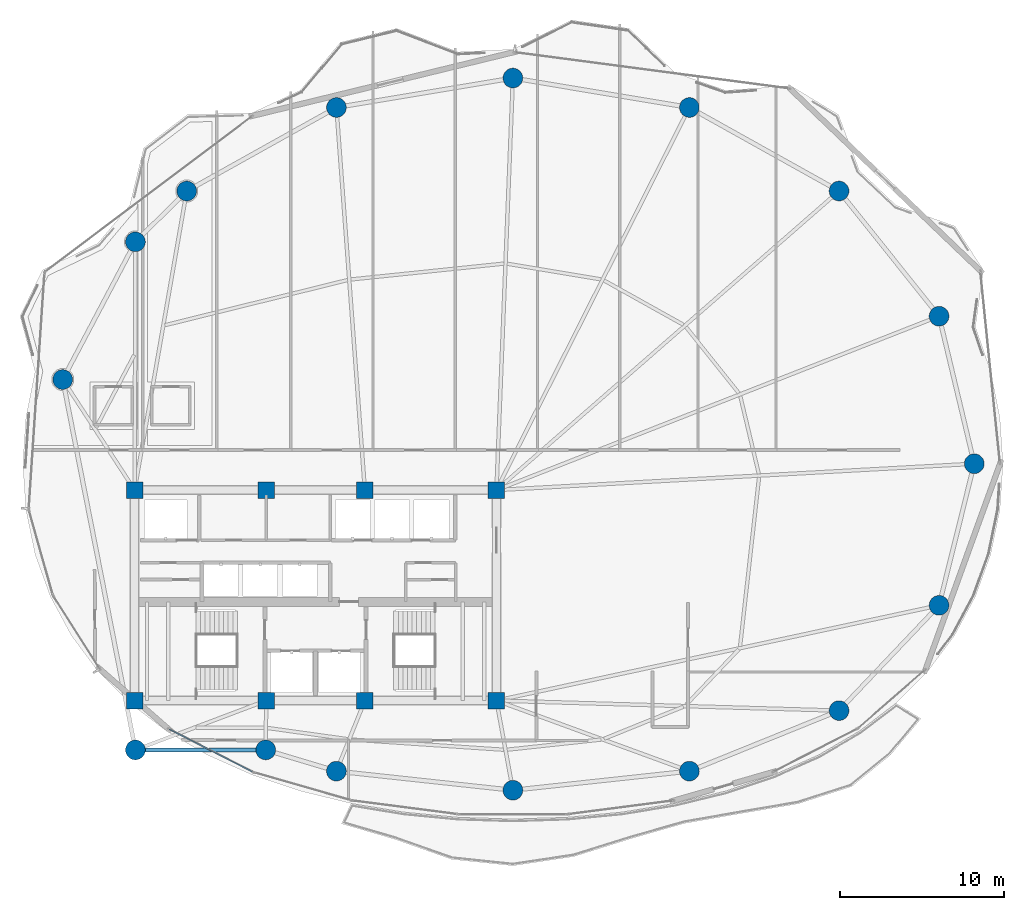
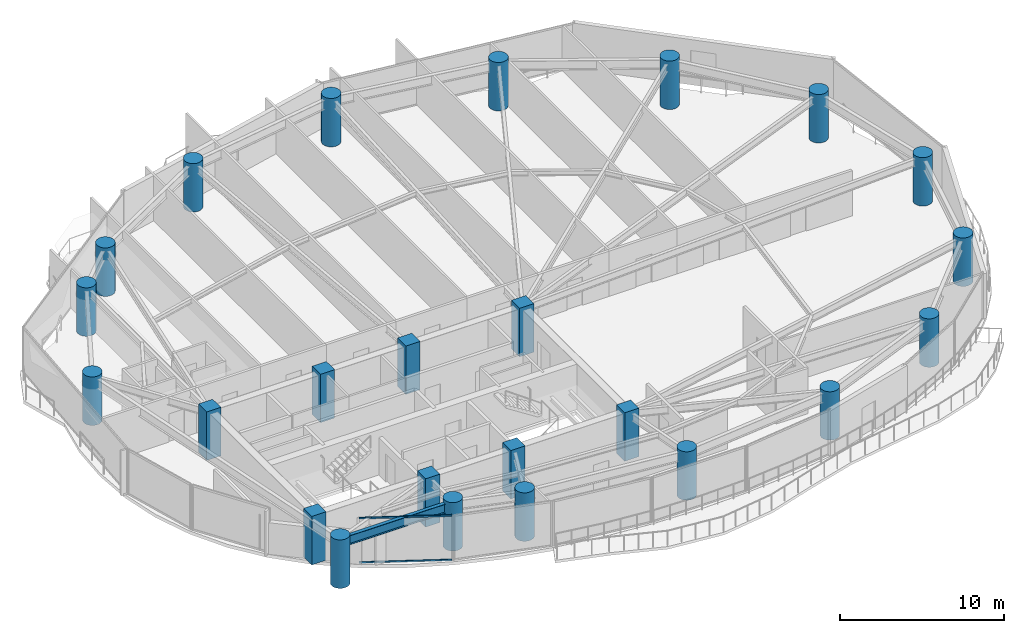
# One storey, part 1 of 30: 24 columns, 2 members, 1 beam, 1 element without a shape of its own.
"""IFC4 building model written with IfcOpenShell, lengths in metres."""

from ifc_helpers import new_model, si_unit, direction, frame, origin, origin_2d, place, context, subcontext, project, spatial, rectangle, hollow_rectangle, circle, i_section, extrude, material, layer, layer_set, material_profile, profile_set, type_object, element, aggregate, save


model = new_model("IFC4")

# Units and contexts
model_context = context("Model", 3, precision=1e-05, world=origin(), true_north=direction((0.0, 1.0)))
body_context = subcontext(model_context, "Body", "Model", "MODEL_VIEW")
ifc_project = project(units=[si_unit("LENGTHUNIT", "METRE"), si_unit("AREAUNIT", "SQUARE_METRE"), si_unit("VOLUMEUNIT", "CUBIC_METRE"), si_unit("PLANEANGLEUNIT", "RADIAN"), si_unit("MASSUNIT", "GRAM", prefix="KILO")], contexts=[model_context])

# Site, building, storey
site_placement = place(None, origin())
site = spatial("IfcSite", under=ifc_project, at=site_placement, CompositionType="ELEMENT")
building_placement = place(site_placement, origin())
building = spatial("IfcBuilding", under=site, at=building_placement, Name="Kazevale Care Tower and Concert Hall", CompositionType="ELEMENT")
storey_placement = place(building_placement, frame((0.0, 0.0, 131.39990234375)))
storey = spatial("IfcBuildingStorey", under=building, at=storey_placement, Name="L34", CompositionType="ELEMENT", Elevation=131.39990234375)

# Columns
ifc_material_1 = material(Name="Concrete C60", Category="concrete")
ifc_material_profile_1 = material_profile(ifc_material_1, rectangle(XDim=1.0, YDim=1.0, at=origin_2d()), Name="RC-SQ1000")
ifc_profile_set_1 = profile_set([ifc_material_profile_1], Name="Concrete C60")
column_type_1 = type_object("IfcColumnType", Name="Core Column SQ1000 C60", PredefinedType="COLUMN", material=ifc_profile_set_1)
for number, where, z_axis, x_axis, name in (
    (1, (22.0, 23.60009765625, 0.0), (0.0, 0.0, 1.0), (1.0, 0.0, 0.0), "col:L34:CC-01"),
    (2, (30.0, 23.60009765625, 0.0), (0.0, 0.0, 1.0), (1.0, 0.0, 0.0), "col:L34:CC-02"),
    (3, (36.0, 23.60009765625, 0.0), (0.0, 0.0, 1.0), (1.0, 0.0, 0.0), "col:L34:CC-03"),
    (4, (44.0, 23.60009765625, 0.0), (0.0, 0.0, 1.0), (1.0, 0.0, 0.0), "col:L34:CC-04"),
    (5, (44.0, 36.39990234375, 0.0), (0.0, 0.0, 1.0), (1.0, 0.0, 0.0), "col:L34:CC-05"),
    (6, (36.0, 36.39990234375, 0.0), (0.0, 0.0, 1.0), (1.0, 0.0, 0.0), "col:L34:CC-06"),
    (7, (30.0, 36.39990234375, 0.0), (0.0, 0.0, 1.0), (1.0, 0.0, 0.0), "col:L34:CC-07"),
    (8, (22.0, 36.39990234375, 0.0), (0.0, 0.0, 1.0), (1.0, 0.0, 0.0), "col:L34:CC-08"),
):
    element("IfcColumn", number, at=place(storey_placement, frame(where, z_axis=z_axis, x_axis=x_axis)), inside=storey, type_object=column_type_1, Name=name, PredefinedType="COLUMN", context=body_context, shape_type="SweptSolid", body=[
        extrude(rectangle(XDim=1.0, YDim=1.0, at=origin_2d()), origin(), (0.0, 0.0, 1.0), 3.60009765625),
    ])
ifc_material_profile_2 = material_profile(ifc_material_1, circle(Radius=0.60009765625, at=origin_2d()), Name="RC-CIR1200")
ifc_profile_set_2 = profile_set([ifc_material_profile_2], Name="Concrete C60")
column_type_2 = type_object("IfcColumnType", Name="Perimeter Column CIR1200 C60", PredefinedType="COLUMN", material=ifc_profile_set_2)
for number, where, z_axis, x_axis, name in (
    (9, (73.050048828125, 38.0, 0.0), (0.0, 0.0, 1.0), (1.0, 0.0, 0.0), "col:L34:PC-01"),
    (10, (70.909912109375, 46.969970703125, 0.0), (0.0, 0.0, 1.0), (1.0, 0.0, 0.0), "col:L34:PC-02"),
    (11, (64.830078125, 54.580078125, 0.0), (0.0, 0.0, 1.0), (1.0, 0.0, 0.0), "col:L34:PC-03"),
    (12, (55.72998046875, 59.659912109375, 0.0), (0.0, 0.0, 1.0), (1.0, 0.0, 0.0), "col:L34:PC-04"),
    (13, (45.0, 61.449951171875, 0.0), (0.0, 0.0, 1.0), (1.0, 0.0, 0.0), "col:L34:PC-05"),
    (14, (34.27001953125, 59.659912109375, 0.0), (0.0, 0.0, 1.0), (1.0, 0.0, 0.0), "col:L34:PC-06"),
    (15, (25.169921875, 54.580078125, 0.0), (0.0, 0.0, 1.0), (1.0, 0.0, 0.0), "col:L34:PC-07"),
    (16, (22.050048828125, 51.489990234375, 0.0), (0.0, 0.0, 1.0), (1.0, 0.0, 0.0), "col:L34:PC-08"),
    (17, (17.6298828125, 43.1201171875, 0.0), (0.0, 0.0, 1.0), (1.0, 0.0, 0.0), "col:L34:PC-09"),
    (18, (22.050048828125, 20.60009765625, 0.0), (0.0, 0.0, 1.0), (1.0, 0.0, 0.0), "col:L34:PC-10"),
    (19, (29.969970703125, 20.60009765625, 0.0), (0.0, 0.0, 1.0), (1.0, 0.0, 0.0), "col:L34:PC-11"),
    (20, (34.27001953125, 19.31005859375, 0.0), (0.0, 0.0, 1.0), (1.0, 0.0, 0.0), "col:L34:PC-12"),
    (21, (45.0, 18.14990234375, 0.0), (0.0, 0.0, 1.0), (1.0, 0.0, 0.0), "col:L34:PC-13"),
    (22, (55.72998046875, 19.31005859375, 0.0), (0.0, 0.0, 1.0), (1.0, 0.0, 0.0), "col:L34:PC-14"),
    (23, (64.830078125, 22.989990234375, 0.0), (0.0, 0.0, 1.0), (1.0, 0.0, 0.0), "col:L34:PC-15"),
    (24, (70.909912109375, 29.389892578125, 0.0), (0.0, 0.0, 1.0), (1.0, 0.0, 0.0), "col:L34:PC-16"),
):
    element("IfcColumn", number, at=place(storey_placement, frame(where, z_axis=z_axis, x_axis=x_axis)), inside=storey, type_object=column_type_2, Name=name, PredefinedType="COLUMN", context=body_context, shape_type="SweptSolid", body=[
        extrude(circle(Radius=0.60009765625, at=origin_2d()), origin(), (0.0, 0.0, 1.0), 3.60009765625),
    ])

# Curtain wall, members
ifc_material_2 = material(Name="Aluminium 6063-T6 and Low-E Glass", Category="aluminium")
ifc_layer = layer(ifc_material_2, 0.179931640625)
ifc_layer_set = layer_set([ifc_layer], Name="Aluminium 6063-T6 and Low-E Glass")
curtain_wall_type = type_object("IfcCurtainWallType", Name="Sheltered Concave Balcony Curtain Wall CW-5", PredefinedType="NOTDEFINED", material=ifc_layer_set)
curtain_wall_placement = place(storey_placement, origin())
curtain_wall = element("IfcCurtainWall", 25, at=curtain_wall_placement, inside=storey, type_object=curtain_wall_type, Name="cw:L34:f09", PredefinedType="NOTDEFINED")
ifc_material_3 = material(Name="Aluminium 6063-T6", Category="aluminium")
ifc_material_profile_3 = material_profile(ifc_material_3, hollow_rectangle(XDim=0.074951171875, YDim=0.1201171875, WallThickness=0.00390625, at=origin_2d()), Name="ALU75x120x4")
ifc_profile_set_3 = profile_set([ifc_material_profile_3], Name="Aluminium 6063-T6")
member_type = type_object("IfcMemberType", Name="CW-5 Transom ALU75x120x4", PredefinedType="USERDEFINED", material=ifc_profile_set_3)
member_1_placement = place(storey_placement, frame((29.144287109375, 19.279296875, 0.03759765625), z_axis=(-0.890142600475, 0.455682072084, 0.0), x_axis=(-0.455682072084, -0.890142600475, 0.0)))
member_1 = element("IfcMember", 26, at=member_1_placement, type_object=member_type, Name="CW-5 transom 1.1", ObjectType="TRANSOM", PredefinedType="USERDEFINED", context=body_context, shape_type="SweptSolid", body=[
    extrude(hollow_rectangle(XDim=0.074951171875, YDim=0.1201171875, WallThickness=0.00390625, at=origin_2d()), origin(), (0.0, 0.0, 1.0), 5.671630859375),
])
member_2_placement = place(storey_placement, frame((29.144287109375, 19.279296875, 3.322509765625), z_axis=(-0.890142600475, 0.455682072084, 0.0), x_axis=(-0.455682072084, -0.890142600475, 0.0)))
member_2 = element("IfcMember", 27, at=member_2_placement, type_object=member_type, Name="CW-5 transom 1.2", ObjectType="TRANSOM", PredefinedType="USERDEFINED", context=body_context, shape_type="SweptSolid", body=[
    extrude(hollow_rectangle(XDim=0.074951171875, YDim=0.1201171875, WallThickness=0.00390625, at=origin_2d()), origin(), (0.0, 0.0, 1.0), 5.671630859375),
])
aggregate(curtain_wall, [member_1, member_2])

# Beam
ifc_material_4 = material(Name="Steel ASTM A572 Gr 50", Category="steel")
ifc_material_profile_4 = material_profile(ifc_material_4, i_section(OverallWidth=0.256103515625, OverallDepth=0.693115234375, WebThickness=0.014404296875, FlangeThickness=0.023681640625, at=origin_2d()), Name="W690x170")
ifc_profile_set_4 = profile_set([ifc_material_profile_4], Name="Steel ASTM A572 Gr 50")
beam_type = type_object("IfcBeamType", Name="Waist Ring Beam W690x170", PredefinedType="BEAM", material=ifc_profile_set_4)
beam_placement = place(storey_placement, frame((22.050048828125, 20.60009765625, 3.013671875), z_axis=(1.0, 0.0, 0.0), x_axis=(0.0, 1.0, 0.0)))
element("IfcBeam", 28, at=beam_placement, inside=storey, type_object=beam_type, Name="beam:L34:ring:10", PredefinedType="BEAM", context=body_context, shape_type="SweptSolid", body=[
    extrude(i_section(OverallWidth=0.256103515625, OverallDepth=0.693115234375, WebThickness=0.014404296875, FlangeThickness=0.023681640625, at=origin_2d()), origin(), (0.0, 0.0, 1.0), 7.919921875),
])

save(model, "model.ifc")
